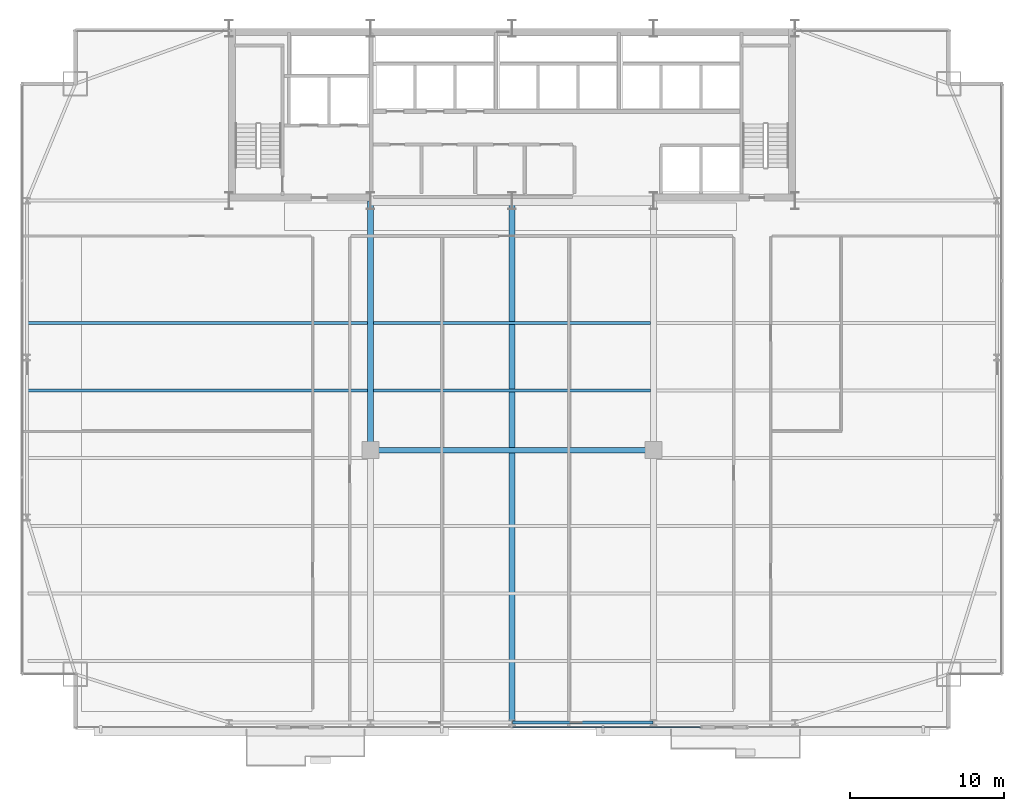
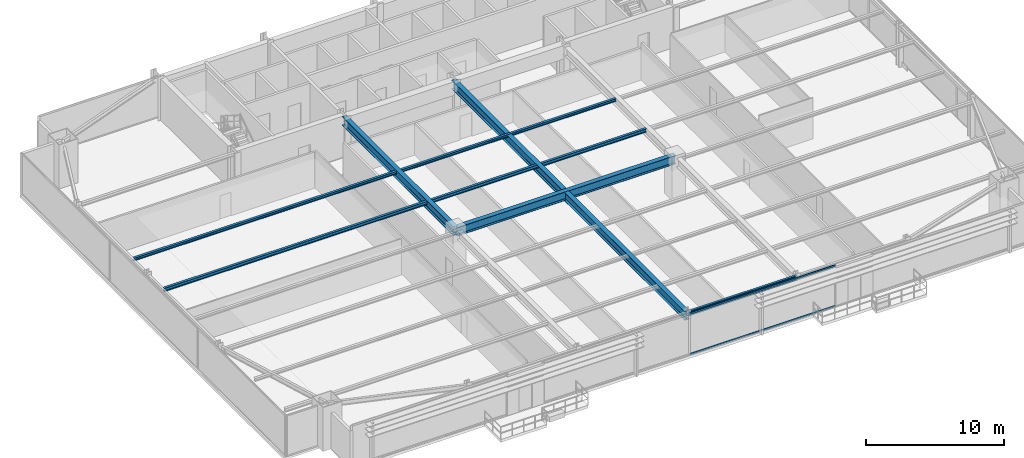
# One storey, part 11 of 31: 8 beams, 2 members, 1 element without a shape of its own.
"""IFC4 building model written with IfcOpenShell, lengths in metres."""

from ifc_helpers import new_model, si_unit, direction, frame, origin, origin_2d, place, context, subcontext, project, spatial, hollow_rectangle, i_section, extrude, source, transform, mapped, material, layer, layer_set, material_profile, profile_set, type_object, type_shapes, element, aggregate, save


model = new_model("IFC4")

# Units and contexts
model_context = context("Model", 3, precision=1e-05, world=origin(), true_north=direction((0.0, 1.0)))
body_context = subcontext(model_context, "Body", "Model", "MODEL_VIEW")
ifc_project = project(units=[si_unit("LENGTHUNIT", "METRE"), si_unit("AREAUNIT", "SQUARE_METRE"), si_unit("VOLUMEUNIT", "CUBIC_METRE"), si_unit("PLANEANGLEUNIT", "RADIAN"), si_unit("MASSUNIT", "GRAM", prefix="KILO")], contexts=[model_context])

# Site, building, storey
site_placement = place(None, origin())
site = spatial("IfcSite", under=ifc_project, at=site_placement, CompositionType="ELEMENT")
building_placement = place(site_placement, origin())
building = spatial("IfcBuilding", under=site, at=building_placement, Name="Varnel Quay Broadcast Tower", CompositionType="ELEMENT")
storey_placement = place(building_placement, frame((0.0, 0.0, 35.39990234375)))
storey = spatial("IfcBuildingStorey", under=building, at=storey_placement, Name="L07", CompositionType="ELEMENT", Elevation=35.39990234375)

# Beams
ifc_material_1 = material(Name="Structural Steel CSA G40.21 350W", Category="steel")
ifc_material_profile_1 = material_profile(ifc_material_1, i_section(OverallWidth=0.180908203125, OverallDepth=0.4169921875, WebThickness=0.010986328125, FlangeThickness=0.018310546875, FilletRadius=0.011962890625, at=origin_2d()), Name="W410X85")
ifc_profile_set_1 = profile_set([ifc_material_profile_1], Name="Structural Steel CSA G40.21 350W")
beam_type_1 = type_object("IfcBeamType", Name="Beam_W410X85", PredefinedType="SPANDREL", material=ifc_profile_set_1)
shared_shape_1 = source(origin(), body_context, "Body", "SweptSolid", [
    extrude(i_section(OverallWidth=0.180908203125, OverallDepth=0.4169921875, WebThickness=0.010986328125, FlangeThickness=0.018310546875, FilletRadius=0.011962890625, at=origin_2d()), origin(), (0.0, 0.0, 1.0), 9.159912109375),
])
type_shapes(beam_type_1, [shared_shape_1])
beam_1_placement = place(storey_placement, frame((34.02001953125, 1.64990234375, 3.441650390625), z_axis=(1.0, 0.0, 0.0), x_axis=(0.0, 1.0, 0.0)))
element("IfcBeam", 1, at=beam_1_placement, inside=storey, type_object=beam_type_1, Name="L07 South Spandrel TC-S3-TC-S4", PredefinedType="SPANDREL", context=body_context, shape_type="MappedRepresentation", body=[
    mapped(shared_shape_1, transform((0.0, 0.0, 0.0), x_axis=(1.0, 0.0, 0.0), y_axis=(0.0, 1.0, 0.0), z_axis=(0.0, 0.0, 1.0), scale=1.0)),
])
ifc_material_profile_2 = material_profile(ifc_material_1, i_section(OverallWidth=0.381103515625, OverallDepth=0.77294921875, WebThickness=0.0166015625, FlangeThickness=0.027587890625, FilletRadius=0.01806640625, at=origin_2d()), Name="W760X257")
ifc_profile_set_2 = profile_set([ifc_material_profile_2], Name="Structural Steel CSA G40.21 350W")
beam_type_2 = type_object("IfcBeamType", Name="Girder_W760X257", PredefinedType="BEAM", material=ifc_profile_set_2)
shared_shape_2 = source(origin(), body_context, "Body", "SweptSolid", [
    extrude(i_section(OverallWidth=0.381103515625, OverallDepth=0.77294921875, WebThickness=0.0166015625, FlangeThickness=0.027587890625, FilletRadius=0.01806640625, at=origin_2d()), origin(), (0.0, 0.0, 1.0), 16.190185546875),
])
beam_2_placement = place(storey_placement, frame((24.800048828125, 19.389892578125, 3.263671875), z_axis=(0.0, 1.0, 0.0), x_axis=(-1.0, 0.0, 0.0)))
element("IfcBeam", 2, at=beam_2_placement, inside=storey, type_object=beam_type_2, Name="L07 Primary Girder IC-01-CC-S2", PredefinedType="BEAM", context=body_context, shape_type="MappedRepresentation", body=[
    mapped(shared_shape_2, transform((0.0, 0.0, 0.0), x_axis=(1.0, 0.0, 0.0), y_axis=(0.0, 1.0, 0.0), z_axis=(0.0, 0.0, 1.0), scale=1.0)),
])
shared_shape_3 = source(origin(), body_context, "Body", "SweptSolid", [
    extrude(i_section(OverallWidth=0.381103515625, OverallDepth=0.77294921875, WebThickness=0.0166015625, FlangeThickness=0.027587890625, FilletRadius=0.01806640625, at=origin_2d()), origin(), (0.0, 0.0, 1.0), 18.35986328125),
])
beam_3_placement = place(storey_placement, frame((24.820068359375, 19.3701171875, 3.263671875), z_axis=(1.0, 0.0, 0.0), x_axis=(0.0, 1.0, 0.0)))
element("IfcBeam", 3, at=beam_3_placement, inside=storey, type_object=beam_type_2, Name="L07 Interior Spine Girder", PredefinedType="BEAM", context=body_context, shape_type="MappedRepresentation", body=[
    mapped(shared_shape_3, transform((0.0, 0.0, 0.0), x_axis=(1.0, 0.0, 0.0), y_axis=(0.0, 1.0, 0.0), z_axis=(0.0, 0.0, 1.0), scale=1.0)),
])
shared_shape_4 = source(origin(), body_context, "Body", "SweptSolid", [
    extrude(i_section(OverallWidth=0.381103515625, OverallDepth=0.77294921875, WebThickness=0.0166015625, FlangeThickness=0.027587890625, FilletRadius=0.01806640625, at=origin_2d()), origin(), (0.0, 0.0, 1.0), 33.91015625),
])
type_shapes(beam_type_2, [shared_shape_2, shared_shape_3, shared_shape_4])
beam_4_placement = place(storey_placement, frame((34.0, 1.669921875, 3.263671875), z_axis=(0.0, 1.0, 0.0), x_axis=(-1.0, 0.0, 0.0)))
element("IfcBeam", 4, at=beam_4_placement, inside=storey, type_object=beam_type_2, Name="L07 Central Bay Girder", PredefinedType="BEAM", context=body_context, shape_type="MappedRepresentation", body=[
    mapped(shared_shape_4, transform((0.0, 0.0, 0.0), x_axis=(1.0, 0.0, 0.0), y_axis=(0.0, 1.0, 0.0), z_axis=(0.0, 0.0, 1.0), scale=1.0)),
])
ifc_material_profile_3 = material_profile(ifc_material_1, i_section(OverallWidth=0.202880859375, OverallDepth=0.302978515625, WebThickness=0.007568359375, FlangeThickness=0.01318359375, FilletRadius=0.011962890625, at=origin_2d()), Name="W310X60")
ifc_profile_set_3 = profile_set([ifc_material_profile_3], Name="Structural Steel CSA G40.21 350W")
beam_type_3 = type_object("IfcBeamType", Name="Beam_W310X60", PredefinedType="JOIST", material=ifc_profile_set_3)
shared_shape_5 = source(origin(), body_context, "Body", "SweptSolid", [
    extrude(i_section(OverallWidth=0.202880859375, OverallDepth=0.302978515625, WebThickness=0.007568359375, FlangeThickness=0.01318359375, FilletRadius=0.011962890625, at=origin_2d()), origin(), (0.0, 0.0, 1.0), 22.0791015625),
])
beam_5_placement = place(storey_placement, frame((2.535400390625, 23.25, 3.49853515625), z_axis=(1.0, 0.0, 0.0), x_axis=(0.0, 1.0, 0.0)))
element("IfcBeam", 5, at=beam_5_placement, inside=storey, type_object=beam_type_3, Name="L07 West Floor Joist 5", PredefinedType="JOIST", context=body_context, shape_type="MappedRepresentation", body=[
    mapped(shared_shape_5, transform((0.0, 0.0, 0.0), x_axis=(1.0, 0.0, 0.0), y_axis=(0.0, 1.0, 0.0), z_axis=(0.0, 0.0, 1.0), scale=1.0)),
])
shared_shape_6 = source(origin(), body_context, "Body", "SweptSolid", [
    extrude(i_section(OverallWidth=0.202880859375, OverallDepth=0.302978515625, WebThickness=0.007568359375, FlangeThickness=0.01318359375, FilletRadius=0.011962890625, at=origin_2d()), origin(), (0.0, 0.0, 1.0), 18.02880859375),
])
type_shapes(beam_type_3, [shared_shape_5, shared_shape_6])
beam_6_placement = place(storey_placement, frame((24.985595703125, 23.25, 3.49853515625), z_axis=(1.0, 0.0, 0.0), x_axis=(0.0, 1.0, 0.0)))
element("IfcBeam", 6, at=beam_6_placement, inside=storey, type_object=beam_type_3, Name="L07 Central Floor Joist 5", PredefinedType="JOIST", context=body_context, shape_type="MappedRepresentation", body=[
    mapped(shared_shape_6, transform((0.0, 0.0, 0.0), x_axis=(1.0, 0.0, 0.0), y_axis=(0.0, 1.0, 0.0), z_axis=(0.0, 0.0, 1.0), scale=1.0)),
])
ifc_material_profile_4 = material_profile(ifc_material_1, i_section(OverallWidth=0.201904296875, OverallDepth=0.2470703125, WebThickness=0.00732421875, FlangeThickness=0.010986328125, FilletRadius=0.010986328125, at=origin_2d()), Name="W250X49")
ifc_profile_set_4 = profile_set([ifc_material_profile_4], Name="Structural Steel CSA G40.21 350W")
beam_type_4 = type_object("IfcBeamType", Name="Beam_W250X49", PredefinedType="JOIST", material=ifc_profile_set_4)
shared_shape_7 = source(origin(), body_context, "Body", "SweptSolid", [
    extrude(i_section(OverallWidth=0.201904296875, OverallDepth=0.2470703125, WebThickness=0.00732421875, FlangeThickness=0.010986328125, FilletRadius=0.010986328125, at=origin_2d()), origin(), (0.0, 0.0, 1.0), 22.0791015625),
])
beam_7_placement = place(storey_placement, frame((2.535400390625, 27.64990234375, 3.526611328125), z_axis=(1.0, 0.0, 0.0), x_axis=(0.0, 1.0, 0.0)))
element("IfcBeam", 7, at=beam_7_placement, inside=storey, type_object=beam_type_4, Name="L07 West Floor Joist 6", PredefinedType="JOIST", context=body_context, shape_type="MappedRepresentation", body=[
    mapped(shared_shape_7, transform((0.0, 0.0, 0.0), x_axis=(1.0, 0.0, 0.0), y_axis=(0.0, 1.0, 0.0), z_axis=(0.0, 0.0, 1.0), scale=1.0)),
])
shared_shape_8 = source(origin(), body_context, "Body", "SweptSolid", [
    extrude(i_section(OverallWidth=0.201904296875, OverallDepth=0.2470703125, WebThickness=0.00732421875, FlangeThickness=0.010986328125, FilletRadius=0.010986328125, at=origin_2d()), origin(), (0.0, 0.0, 1.0), 18.02880859375),
])
type_shapes(beam_type_4, [shared_shape_7, shared_shape_8])
beam_8_placement = place(storey_placement, frame((24.985595703125, 27.64990234375, 3.526611328125), z_axis=(1.0, 0.0, 0.0), x_axis=(0.0, 1.0, 0.0)))
element("IfcBeam", 8, at=beam_8_placement, inside=storey, type_object=beam_type_4, Name="L07 Central Floor Joist 6", PredefinedType="JOIST", context=body_context, shape_type="MappedRepresentation", body=[
    mapped(shared_shape_8, transform((0.0, 0.0, 0.0), x_axis=(1.0, 0.0, 0.0), y_axis=(0.0, 1.0, 0.0), z_axis=(0.0, 0.0, 1.0), scale=1.0)),
])

# Curtain wall, members
ifc_material_2 = material(Name="Anodised Bronze Aluminium 6063-T6", Category="aluminium")
ifc_layer = layer(ifc_material_2, 0.18994140625, Name="Anodised Bronze Aluminium 6063-T6")
ifc_layer_set = layer_set([ifc_layer], Name="Anodised Bronze Aluminium 6063-T6")
curtain_wall_type = type_object("IfcCurtainWallType", Name="CW_LowerTower", PredefinedType="NOTDEFINED", material=ifc_layer_set)
curtain_wall_placement = place(storey_placement, origin())
curtain_wall = element("IfcCurtainWall", 9, at=curtain_wall_placement, inside=storey, type_object=curtain_wall_type, Name="L07 South Unitised Curtain Wall 2", PredefinedType="NOTDEFINED")
ifc_material_profile_5 = material_profile(ifc_material_2, hollow_rectangle(XDim=0.06005859375, YDim=0.14501953125, WallThickness=0.00341796875, at=origin_2d()), Name="ALU60X145X3.5")
ifc_profile_set_5 = profile_set([ifc_material_profile_5], Name="Anodised Bronze Aluminium 6063-T6")
member_type = type_object("IfcMemberType", Name="Tran_CWS-02", PredefinedType="USERDEFINED", material=ifc_profile_set_5)
shared_shape_9 = source(origin(), body_context, "Body", "SweptSolid", [
    extrude(hollow_rectangle(XDim=0.06005859375, YDim=0.14501953125, WallThickness=0.00341796875, at=origin_2d()), origin(), (0.0, 0.0, 1.0), 12.215087890625),
])
type_shapes(member_type, [shared_shape_9])
member_1_placement = place(storey_placement, frame((34.034912109375, 1.35009765625, 0.030029296875), z_axis=(1.0, 0.0, 0.0), x_axis=(0.0, 1.0, 0.0)))
member_1 = element("IfcMember", 10, at=member_1_placement, type_object=member_type, Name="CWS-02 transom 2.1", ObjectType="TRANSOM", PredefinedType="USERDEFINED", context=body_context, shape_type="MappedRepresentation", body=[
    mapped(shared_shape_9, transform((0.0, 0.0, 0.0), x_axis=(1.0, 0.0, 0.0), y_axis=(0.0, 1.0, 0.0), z_axis=(0.0, 0.0, 1.0), scale=1.0)),
])
member_2_placement = place(storey_placement, frame((34.034912109375, 1.35009765625, 3.6201171875), z_axis=(1.0, 0.0, 0.0), x_axis=(0.0, 1.0, 0.0)))
member_2 = element("IfcMember", 11, at=member_2_placement, type_object=member_type, Name="CWS-02 transom 2.2", ObjectType="TRANSOM", PredefinedType="USERDEFINED", context=body_context, shape_type="MappedRepresentation", body=[
    mapped(shared_shape_9, transform((0.0, 0.0, 0.0), x_axis=(1.0, 0.0, 0.0), y_axis=(0.0, 1.0, 0.0), z_axis=(0.0, 0.0, 1.0), scale=1.0)),
])
aggregate(curtain_wall, [member_1, member_2])

save(model, "model.ifc")
